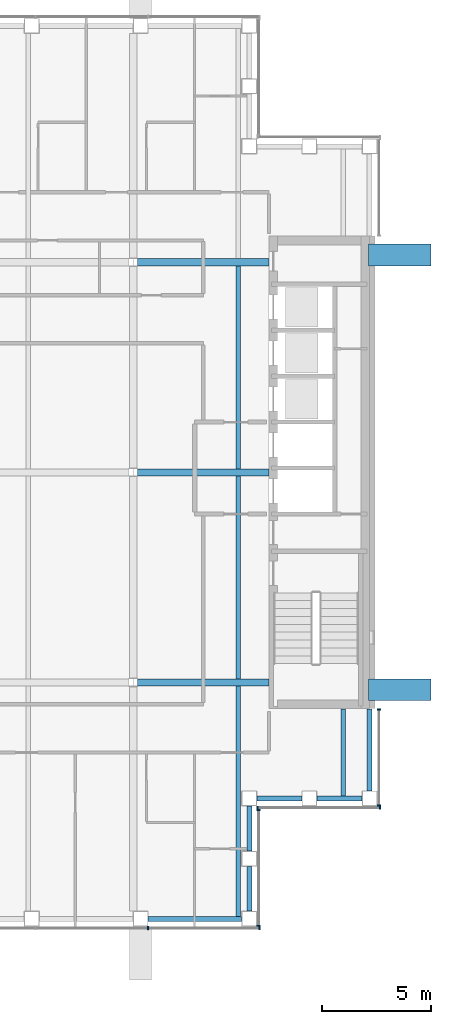
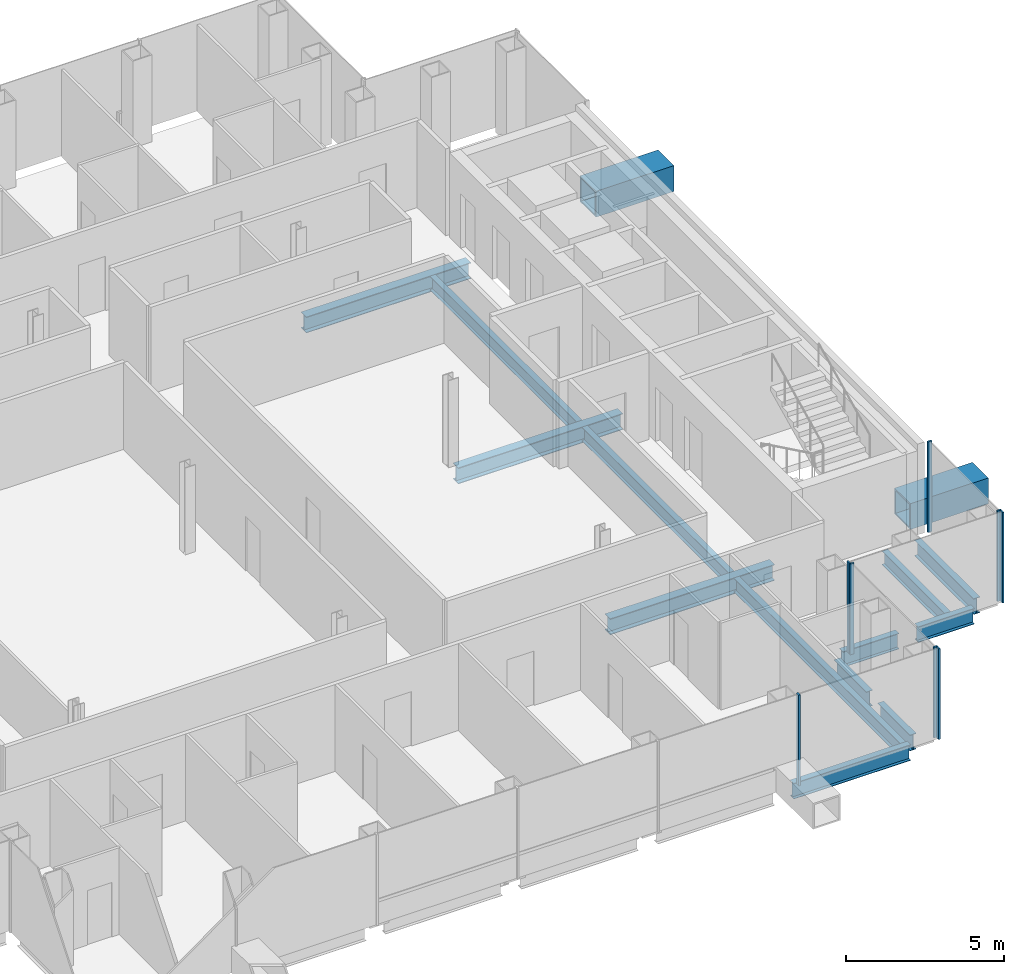
# One storey, part 5 of 14: 15 beams, 8 members, 4 elements without a shape of their own.
"""IFC4 building model written with IfcOpenShell, lengths in metres."""

from ifc_helpers import new_model, si_unit, direction, frame, origin, origin_2d, place, context, subcontext, project, spatial, rectangle, hollow_rectangle, i_section, extrude, material, material_profile, profile_set, type_object, element, aggregate, save


model = new_model("IFC4")

# Units and contexts
model_context = context("Model", 3, precision=1e-05, world=origin(), true_north=direction((0.0, 1.0)))
body_context = subcontext(model_context, "Body", "Model", "MODEL_VIEW")
ifc_project = project(units=[si_unit("LENGTHUNIT", "METRE"), si_unit("AREAUNIT", "SQUARE_METRE"), si_unit("VOLUMEUNIT", "CUBIC_METRE"), si_unit("PLANEANGLEUNIT", "RADIAN"), si_unit("MASSUNIT", "GRAM", prefix="KILO")], contexts=[model_context])

# Site, building, storey
site_placement = place(None, origin())
site = spatial("IfcSite", under=ifc_project, at=site_placement, CompositionType="ELEMENT")
building_placement = place(site_placement, origin())
building = spatial("IfcBuilding", under=site, at=building_placement, Name="Cobrizo Arcos Hotel Tower", CompositionType="ELEMENT")
storey_placement = place(building_placement, frame((0.0, 0.0, 208.5)))
storey = spatial("IfcBuildingStorey", under=building, at=storey_placement, Name="L54", CompositionType="ELEMENT", Elevation=208.5)

# Beams
ifc_material_1 = material(Name="Steel ASTM A572 Grade 50", Category="steel")
ifc_material_profile_1 = material_profile(ifc_material_1, hollow_rectangle(XDim=1.0, YDim=1.0, WallThickness=0.06005859375, at=origin_2d()), Name="BOX 1000X1000X60")
ifc_profile_set_1 = profile_set([ifc_material_profile_1], Name="Steel ASTM A572 Grade 50")
beam_type_1 = type_object("IfcBeamType", Name="BOX 1000X1000X60 brace connector strut", PredefinedType="BEAM", material=ifc_profile_set_1)
for number, where, z_axis, x_axis, name in (
    (1, (20.35009765625, 9.933349609375, 0.5), (1.0, 0.0, 0.0), (0.0, 1.0, 0.0), "Perimeter brace stub BS1, zone Z4, east face, offset +9.93 m, L54"),
    (2, (20.35009765625, -9.933349609375, 0.5), (1.0, 0.0, 0.0), (0.0, 1.0, 0.0), "Perimeter brace stub BS1, zone Z4, east face, offset -9.93 m, L54"),
):
    element("IfcBeam", number, at=place(storey_placement, frame(where, z_axis=z_axis, x_axis=x_axis)), inside=storey, type_object=beam_type_1, Name=name, PredefinedType="BEAM", context=body_context, shape_type="SweptSolid", body=[
        extrude(hollow_rectangle(XDim=1.0, YDim=1.0, WallThickness=0.06005859375, at=origin_2d()), origin(), (0.0, 0.0, 1.0), 2.844970703125),
    ])

# Curtain wall, members
ifc_material_2 = material(Name="Aluminium 6063-T6 anodised bronze", Category="aluminium")
curtain_wall_type = type_object("IfcCurtainWallType", Name="CW-A guest facade", PredefinedType="NOTDEFINED", material=ifc_material_2)
curtain_wall_1_placement = place(storey_placement, origin())
curtain_wall_1 = element("IfcCurtainWall", 3, at=curtain_wall_1_placement, inside=storey, type_object=curtain_wall_type, Name="CW-A L54 S face", PredefinedType="NOTDEFINED")
ifc_material_profile_2 = material_profile(ifc_material_2, rectangle(XDim=0.14990234375, YDim=0.06005859375, at=origin_2d()), Name="CW-A mullion 150x60")
ifc_profile_set_2 = profile_set([ifc_material_profile_2], Name="Aluminium 6063-T6 anodised bronze")
member_type = type_object("IfcMemberType", Name="CW-A mullion 150x60", PredefinedType="MULLION", material=ifc_profile_set_2)
member_1_placement = place(storey_placement, frame((10.2666015625, -20.824951171875, 0.0), z_axis=(0.0, 0.0, 1.0), x_axis=(0.0, -1.0, 0.0)))
member_1 = element("IfcMember", 4, at=member_1_placement, type_object=member_type, Name="CW-A mullion 6", PredefinedType="MULLION", context=body_context, shape_type="SweptSolid", body=[
    extrude(rectangle(XDim=0.14990234375, YDim=0.06005859375, at=origin_2d()), origin(), (0.0, 0.0, 1.0), 3.5),
])
member_2_placement = place(storey_placement, frame((15.3701171875, -20.824951171875, 0.0), z_axis=(0.0, 0.0, 1.0), x_axis=(0.0, -1.0, 0.0)))
member_2 = element("IfcMember", 5, at=member_2_placement, type_object=member_type, Name="CW-A mullion 7", PredefinedType="MULLION", context=body_context, shape_type="SweptSolid", body=[
    extrude(rectangle(XDim=0.14990234375, YDim=0.06005859375, at=origin_2d()), origin(), (0.0, 0.0, 1.0), 3.5),
])
aggregate(curtain_wall_1, [member_1, member_2])

curtain_wall_2_placement = place(storey_placement, origin())
curtain_wall_2 = element("IfcCurtainWall", 6, at=curtain_wall_2_placement, inside=storey, type_object=curtain_wall_type, Name="CW-A L54 E face", PredefinedType="NOTDEFINED")
member_3_placement = place(storey_placement, frame((15.324951171875, -20.719970703125, 0.0), z_axis=(0.0, 0.0, 1.0), x_axis=(1.0, 0.0, 0.0)))
member_3 = element("IfcMember", 7, at=member_3_placement, type_object=member_type, Name="CW-A mullion 1", PredefinedType="MULLION", context=body_context, shape_type="SweptSolid", body=[
    extrude(rectangle(XDim=0.14990234375, YDim=0.06005859375, at=origin_2d()), origin(), (0.0, 0.0, 1.0), 3.5),
])
member_4_placement = place(storey_placement, frame((15.324951171875, -15.429931640625, 0.0), z_axis=(0.0, 0.0, 1.0), x_axis=(1.0, 0.0, 0.0)))
member_4 = element("IfcMember", 8, at=member_4_placement, type_object=member_type, Name="CW-A mullion 2", PredefinedType="MULLION", context=body_context, shape_type="SweptSolid", body=[
    extrude(rectangle(XDim=0.14990234375, YDim=0.06005859375, at=origin_2d()), origin(), (0.0, 0.0, 1.0), 3.5),
])
aggregate(curtain_wall_2, [member_3, member_4])

curtain_wall_3_placement = place(storey_placement, origin())
curtain_wall_3 = element("IfcCurtainWall", 9, at=curtain_wall_3_placement, inside=storey, type_object=curtain_wall_type, Name="CW-A L54 S face", PredefinedType="NOTDEFINED")
member_5_placement = place(storey_placement, frame((15.280029296875, -15.324951171875, 0.0), z_axis=(0.0, 0.0, 1.0), x_axis=(0.0, -1.0, 0.0)))
member_5 = element("IfcMember", 10, at=member_5_placement, type_object=member_type, Name="CW-A mullion 1", PredefinedType="MULLION", context=body_context, shape_type="SweptSolid", body=[
    extrude(rectangle(XDim=0.14990234375, YDim=0.06005859375, at=origin_2d()), origin(), (0.0, 0.0, 1.0), 3.5),
])
member_6_placement = place(storey_placement, frame((20.8701171875, -15.324951171875, 0.0), z_axis=(0.0, 0.0, 1.0), x_axis=(0.0, -1.0, 0.0)))
member_6 = element("IfcMember", 11, at=member_6_placement, type_object=member_type, Name="CW-A mullion 2", PredefinedType="MULLION", context=body_context, shape_type="SweptSolid", body=[
    extrude(rectangle(XDim=0.14990234375, YDim=0.06005859375, at=origin_2d()), origin(), (0.0, 0.0, 1.0), 3.5),
])
aggregate(curtain_wall_3, [member_5, member_6])

curtain_wall_4_placement = place(storey_placement, origin())
curtain_wall_4 = element("IfcCurtainWall", 12, at=curtain_wall_4_placement, inside=storey, type_object=curtain_wall_type, Name="CW-A L54 E face", PredefinedType="NOTDEFINED")
member_7_placement = place(storey_placement, frame((20.824951171875, -15.219970703125, 0.0), z_axis=(0.0, 0.0, 1.0), x_axis=(1.0, 0.0, 0.0)))
member_7 = element("IfcMember", 13, at=member_7_placement, type_object=member_type, Name="CW-A mullion 1", PredefinedType="MULLION", context=body_context, shape_type="SweptSolid", body=[
    extrude(rectangle(XDim=0.14990234375, YDim=0.06005859375, at=origin_2d()), origin(), (0.0, 0.0, 1.0), 3.5),
])
member_8_placement = place(storey_placement, frame((20.824951171875, -10.830078125, 0.0), z_axis=(0.0, 0.0, 1.0), x_axis=(1.0, 0.0, 0.0)))
member_8 = element("IfcMember", 14, at=member_8_placement, type_object=member_type, Name="CW-A mullion 2", PredefinedType="MULLION", context=body_context, shape_type="SweptSolid", body=[
    extrude(rectangle(XDim=0.14990234375, YDim=0.06005859375, at=origin_2d()), origin(), (0.0, 0.0, 1.0), 3.5),
])
aggregate(curtain_wall_4, [member_7, member_8])

# Beams
ifc_material_3 = material(Name="Steel ASTM A992 Grade 50", Category="steel")
ifc_material_profile_3 = material_profile(ifc_material_3, i_section(OverallWidth=0.209228515625, OverallDepth=0.533447265625, WebThickness=0.01025390625, FlangeThickness=0.015625, at=origin_2d()), Name="W21X62")
ifc_profile_set_3 = profile_set([ifc_material_profile_3], Name="Steel ASTM A992 Grade 50")
beam_type_2 = type_object("IfcBeamType", Name="W21X62 joist", PredefinedType="JOIST", material=ifc_profile_set_3)
beam_1_placement = place(storey_placement, frame((14.39990234375, -20.31005859375, -0.416748046875), z_axis=(0.0, 1.0, 0.0), x_axis=(-1.0, 0.0, 0.0)))
element("IfcBeam", 15, at=beam_1_placement, inside=storey, type_object=beam_type_2, Name="Floor joist J1, L54, no. 015", PredefinedType="JOIST", context=body_context, shape_type="SweptSolid", body=[
    extrude(i_section(OverallWidth=0.209228515625, OverallDepth=0.533447265625, WebThickness=0.01025390625, FlangeThickness=0.015625, at=origin_2d()), origin(), (0.0, 0.0, 1.0), 10.546142578125),
])
for number, where, z_axis, x_axis, name in (
    (16, (14.39990234375, -9.43603515625, -0.416748046875), (0.0, 1.0, 0.0), (-1.0, 0.0, 0.0), "Floor joist J1, L54, no. 016"),
    (17, (14.39990234375, 0.163818359375, -0.416748046875), (0.0, 1.0, 0.0), (-1.0, 0.0, 0.0), "Floor joist J1, L54, no. 017"),
):
    element("IfcBeam", number, at=place(storey_placement, frame(where, z_axis=z_axis, x_axis=x_axis)), inside=storey, type_object=beam_type_2, Name=name, PredefinedType="JOIST", context=body_context, shape_type="SweptSolid", body=[
        extrude(i_section(OverallWidth=0.209228515625, OverallDepth=0.533447265625, WebThickness=0.01025390625, FlangeThickness=0.015625, at=origin_2d()), origin(), (0.0, 0.0, 1.0), 9.272216796875),
    ])
beam_2_placement = place(storey_placement, frame((19.199951171875, -14.81005859375, -0.416748046875), z_axis=(0.0, 1.0, 0.0), x_axis=(-1.0, 0.0, 0.0)))
element("IfcBeam", 18, at=beam_2_placement, inside=storey, type_object=beam_type_2, Name="Floor joist J1, L54, no. 019", PredefinedType="JOIST", context=body_context, shape_type="SweptSolid", body=[
    extrude(i_section(OverallWidth=0.209228515625, OverallDepth=0.533447265625, WebThickness=0.01025390625, FlangeThickness=0.015625, at=origin_2d()), origin(), (0.0, 0.0, 1.0), 4.0),
])
ifc_material_profile_4 = material_profile(ifc_material_3, i_section(OverallWidth=0.32763671875, OverallDepth=0.622314453125, WebThickness=0.015380859375, FlangeThickness=0.0244140625, at=origin_2d()), Name="W24X131")
ifc_profile_set_4 = profile_set([ifc_material_profile_4], Name="Steel ASTM A992 Grade 50")
beam_type_3 = type_object("IfcBeamType", Name="W24X131 girder", PredefinedType="BEAM", material=ifc_profile_set_4)
for number, where, z_axis, x_axis, name in (
    (19, (9.78662109375, -9.60009765625, -0.461181640625), (1.0, 0.0, 0.0), (0.0, 1.0, 0.0), "Floor girder G1, L54, no. 004"),
    (20, (9.78662109375, 0.0, -0.461181640625), (1.0, 0.0, 0.0), (0.0, 1.0, 0.0), "Floor girder G1, L54, no. 008"),
    (21, (9.78662109375, 9.60009765625, -0.461181640625), (1.0, 0.0, 0.0), (0.0, 1.0, 0.0), "Floor girder G1, L54, no. 012"),
):
    element("IfcBeam", number, at=place(storey_placement, frame(where, z_axis=z_axis, x_axis=x_axis)), inside=storey, type_object=beam_type_3, Name=name, PredefinedType="BEAM", context=body_context, shape_type="SweptSolid", body=[
        extrude(i_section(OverallWidth=0.32763671875, OverallDepth=0.622314453125, WebThickness=0.015380859375, FlangeThickness=0.0244140625, at=origin_2d()), origin(), (0.0, 0.0, 1.0), 6.00341796875),
    ])
ifc_material_profile_5 = material_profile(ifc_material_3, i_section(OverallWidth=0.228271484375, OverallDepth=0.607177734375, WebThickness=0.01123046875, FlangeThickness=0.017333984375, at=origin_2d()), Name="W24X76")
ifc_profile_set_5 = profile_set([ifc_material_profile_5], Name="Steel ASTM A992 Grade 50")
beam_type_4 = type_object("IfcBeamType", Name="W24X76 spandrel", PredefinedType="SPANDREL", material=ifc_profile_set_5)
beam_3_placement = place(storey_placement, frame((10.282958984375, -20.39990234375, -0.45361328125), z_axis=(1.0, 0.0, 0.0), x_axis=(0.0, 1.0, 0.0)))
element("IfcBeam", 22, at=beam_3_placement, inside=storey, type_object=beam_type_4, Name="Spandrel beam W24X76, L54, no. 006", PredefinedType="SPANDREL", context=body_context, shape_type="SweptSolid", body=[
    extrude(i_section(OverallWidth=0.228271484375, OverallDepth=0.607177734375, WebThickness=0.01123046875, FlangeThickness=0.017333984375, at=origin_2d()), origin(), (0.0, 0.0, 1.0), 4.26708984375),
])
for number, where, z_axis, x_axis, name in (
    (23, (14.89990234375, -20.050048828125, -0.45361328125), (0.0, 1.0, 0.0), (-1.0, 0.0, 0.0), "Spandrel beam W24X76, L54, no. 007"),
    (24, (14.89990234375, -17.300048828125, -0.45361328125), (0.0, 1.0, 0.0), (-1.0, 0.0, 0.0), "Spandrel beam W24X76, L54, no. 008"),
    (25, (15.25, -14.89990234375, -0.45361328125), (1.0, 0.0, 0.0), (0.0, 1.0, 0.0), "Spandrel beam W24X76, L54, no. 009"),
    (26, (18.0, -14.89990234375, -0.45361328125), (1.0, 0.0, 0.0), (0.0, 1.0, 0.0), "Spandrel beam W24X76, L54, no. 010"),
):
    element("IfcBeam", number, at=place(storey_placement, frame(where, z_axis=z_axis, x_axis=x_axis)), inside=storey, type_object=beam_type_4, Name=name, PredefinedType="SPANDREL", context=body_context, shape_type="SweptSolid", body=[
        extrude(i_section(OverallWidth=0.228271484375, OverallDepth=0.607177734375, WebThickness=0.01123046875, FlangeThickness=0.017333984375, at=origin_2d()), origin(), (0.0, 0.0, 1.0), 2.050048828125),
    ])
beam_4_placement = place(storey_placement, frame((20.39990234375, -14.550048828125, -0.45361328125), z_axis=(0.0, 1.0, 0.0), x_axis=(-1.0, 0.0, 0.0)))
element("IfcBeam", 27, at=beam_4_placement, inside=storey, type_object=beam_type_4, Name="Spandrel beam W24X76, L54, no. 011", PredefinedType="SPANDREL", context=body_context, shape_type="SweptSolid", body=[
    extrude(i_section(OverallWidth=0.228271484375, OverallDepth=0.607177734375, WebThickness=0.01123046875, FlangeThickness=0.017333984375, at=origin_2d()), origin(), (0.0, 0.0, 1.0), 3.739990234375),
])

save(model, "model.ifc")
